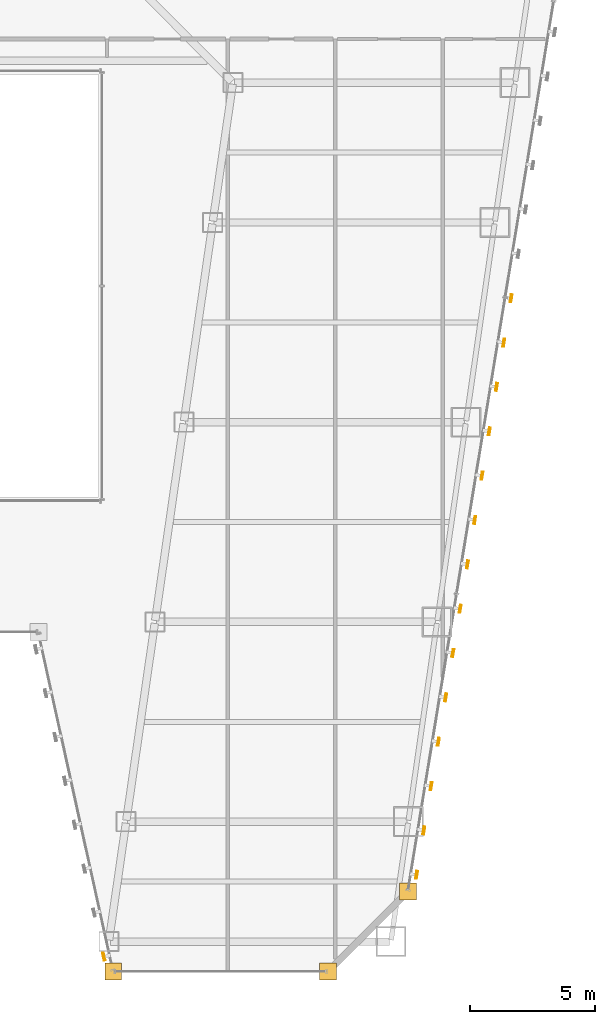
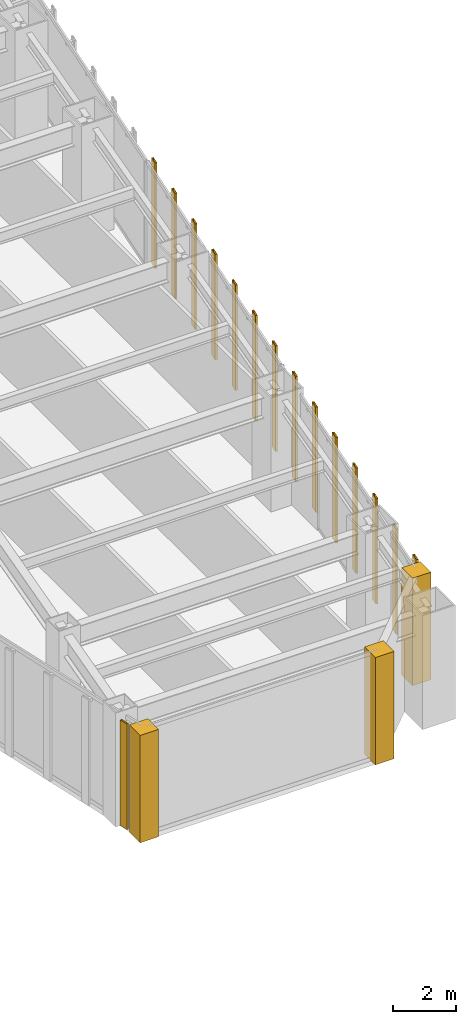
# One storey, part 44 of 47: 15 shading devices, 3 coverings.
"""IFC4 building model written with IfcOpenShell, lengths in metres."""

from ifc_helpers import new_model, si_unit, direction, frame, origin, origin_2d, place, context, subcontext, project, spatial, polyline, hollow_rectangle, outline, extrude, material, layer, layer_set, material_profile, profile_set, type_object, element, save


model = new_model("IFC4")

# Units and contexts
model_context = context("Model", 3, precision=1e-05, world=origin(), true_north=direction((0.0, 1.0)))
body_context = subcontext(model_context, "Body", "Model", "MODEL_VIEW")
ifc_project = project(units=[si_unit("LENGTHUNIT", "METRE"), si_unit("AREAUNIT", "SQUARE_METRE"), si_unit("VOLUMEUNIT", "CUBIC_METRE"), si_unit("PLANEANGLEUNIT", "RADIAN"), si_unit("MASSUNIT", "GRAM", prefix="KILO")], contexts=[model_context])

# Site, building, storey
site_placement = place(None, origin())
site = spatial("IfcSite", under=ifc_project, at=site_placement, CompositionType="ELEMENT")
building_placement = place(site_placement, origin())
building = spatial("IfcBuilding", under=site, at=building_placement, Name="Saevonmaru Cultural Tower", CompositionType="ELEMENT")
storey_placement = place(building_placement, frame((0.0, 0.0, 60.39990234375)))
storey = spatial("IfcBuildingStorey", under=building, at=storey_placement, Name="L12", CompositionType="ELEMENT", Elevation=60.39990234375)

# Coverings
ifc_material = material(Name="Satin Bronze Anodised Aluminium", Category="aluminium")
ifc_layer = layer(ifc_material, 0.679931640625, Name="Satin Bronze Anodised Aluminium")
ifc_layer_set = layer_set([ifc_layer], Name="Satin Bronze Anodised Aluminium")
covering_type = type_object("IfcCoveringType", Name="CV-CORNER-CLAD", PredefinedType="CLADDING", material=ifc_layer_set)
covering_1_placement = place(storey_placement, origin())
element("IfcCovering", 1, at=covering_1_placement, inside=storey, type_object=covering_type, Name="L12 Tower Bronze Corner Cladding Pier 6", PredefinedType="CLADDING", context=body_context, shape_type="SweptSolid", body=[
    extrude(outline(polyline([(36.06005859375, 1.659912109375), (36.739990234375, 1.659912109375), (36.739990234375, 2.340087890625), (36.06005859375, 2.340087890625), (36.06005859375, 1.659912109375)])), origin(), (0.0, 0.0, 1.0), 4.150146484375),
])
covering_2_placement = place(storey_placement, origin())
element("IfcCovering", 2, at=covering_2_placement, inside=storey, type_object=covering_type, Name="L12 Tower Bronze Corner Cladding Pier 7", PredefinedType="CLADDING", context=body_context, shape_type="SweptSolid", body=[
    extrude(outline(polyline([(44.659912109375, 1.659912109375), (45.340087890625, 1.659912109375), (45.340087890625, 2.340087890625), (44.659912109375, 2.340087890625), (44.659912109375, 1.659912109375)])), origin(), (0.0, 0.0, 1.0), 4.150146484375),
])
covering_3_placement = place(storey_placement, origin())
element("IfcCovering", 3, at=covering_3_placement, inside=storey, type_object=covering_type, Name="L12 Tower Bronze Corner Cladding Pier 8", PredefinedType="CLADDING", context=body_context, shape_type="SweptSolid", body=[
    extrude(outline(polyline([(47.860107421875, 4.860107421875), (48.5400390625, 4.860107421875), (48.5400390625, 5.5400390625), (47.860107421875, 5.5400390625), (47.860107421875, 4.860107421875)])), origin(), (0.0, 0.0, 1.0), 4.150146484375),
])

# Shading devices
ifc_material_profile = material_profile(ifc_material, hollow_rectangle(XDim=0.070068359375, YDim=0.320068359375, WallThickness=0.0048828125, at=origin_2d()), Name="FIN-320x70")
ifc_profile_set = profile_set([ifc_material_profile], Name="Satin Bronze Anodised Aluminium")
shading_device_type = type_object("IfcShadingDeviceType", Name="SHD-FIN-320", PredefinedType="JALOUSIE", material=ifc_profile_set)
for number, where, z_axis, x_axis, name in (
    (4, (36.022705078125, 2.59619140625, 0.050048828125), (0.0, 0.0, 1.0), (-0.976522126798, -0.215417120661, 0.0), "L12 Art Deco Sawtooth Bronze Fin E5-08"),
    (5, (48.552978515625, 5.869140625, 0.050048828125), (0.0, 0.0, 1.0), (0.986827496189, -0.161776057456, 0.0), "L12 Art Deco Sawtooth Bronze Fin E8-01"),
    (6, (48.843994140625, 7.6455078125, 0.050048828125), (0.0, 0.0, 1.0), (0.986827496189, -0.161776057456, 0.0), "L12 Art Deco Sawtooth Bronze Fin E8-02"),
    (7, (49.135009765625, 9.421875, 0.050048828125), (0.0, 0.0, 1.0), (0.986827496189, -0.161776057456, 0.0), "L12 Art Deco Sawtooth Bronze Fin E8-03"),
    (8, (49.426025390625, 11.197998046875, 0.050048828125), (0.0, 0.0, 1.0), (0.986827496189, -0.161776057456, 0.0), "L12 Art Deco Sawtooth Bronze Fin E8-04"),
    (9, (49.71728515625, 12.974365234375, 0.050048828125), (0.0, 0.0, 1.0), (0.986827496189, -0.161776057456, 0.0), "L12 Art Deco Sawtooth Bronze Fin E8-05"),
    (10, (50.00830078125, 14.750732421875, 0.050048828125), (0.0, 0.0, 1.0), (0.986827496189, -0.161776057456, 0.0), "L12 Art Deco Sawtooth Bronze Fin E8-06"),
    (11, (50.29931640625, 16.527099609375, 0.050048828125), (0.0, 0.0, 1.0), (0.986827496189, -0.161776057456, 0.0), "L12 Art Deco Sawtooth Bronze Fin E8-07"),
    (12, (50.59033203125, 18.30322265625, 0.050048828125), (0.0, 0.0, 1.0), (0.986827496189, -0.161776057456, 0.0), "L12 Art Deco Sawtooth Bronze Fin E8-08"),
    (13, (50.881591796875, 20.07958984375, 0.050048828125), (0.0, 0.0, 1.0), (0.986827496189, -0.161776057456, 0.0), "L12 Art Deco Sawtooth Bronze Fin E8-09"),
    (14, (51.172607421875, 21.85595703125, 0.050048828125), (0.0, 0.0, 1.0), (0.986827496189, -0.161776057456, 0.0), "L12 Art Deco Sawtooth Bronze Fin E8-10"),
    (15, (51.463623046875, 23.63232421875, 0.050048828125), (0.0, 0.0, 1.0), (0.986827496189, -0.161776057456, 0.0), "L12 Art Deco Sawtooth Bronze Fin E8-11"),
    (16, (51.754638671875, 25.40869140625, 0.050048828125), (0.0, 0.0, 1.0), (0.986827496189, -0.161776057456, 0.0), "L12 Art Deco Sawtooth Bronze Fin E8-12"),
    (17, (52.0458984375, 27.184814453125, 0.050048828125), (0.0, 0.0, 1.0), (0.986827496189, -0.161776057456, 0.0), "L12 Art Deco Sawtooth Bronze Fin E8-13"),
    (18, (52.3369140625, 28.961181640625, 0.050048828125), (0.0, 0.0, 1.0), (0.986827496189, -0.161776057456, 0.0), "L12 Art Deco Sawtooth Bronze Fin E8-14"),
):
    element("IfcShadingDevice", number, at=place(storey_placement, frame(where, z_axis=z_axis, x_axis=x_axis)), inside=storey, type_object=shading_device_type, Name=name, PredefinedType="JALOUSIE", context=body_context, shape_type="SweptSolid", body=[
        extrude(hollow_rectangle(XDim=0.070068359375, YDim=0.320068359375, WallThickness=0.0048828125, at=origin_2d()), origin(), (0.0, 0.0, 1.0), 4.080078125),
    ])

save(model, "model.ifc")
